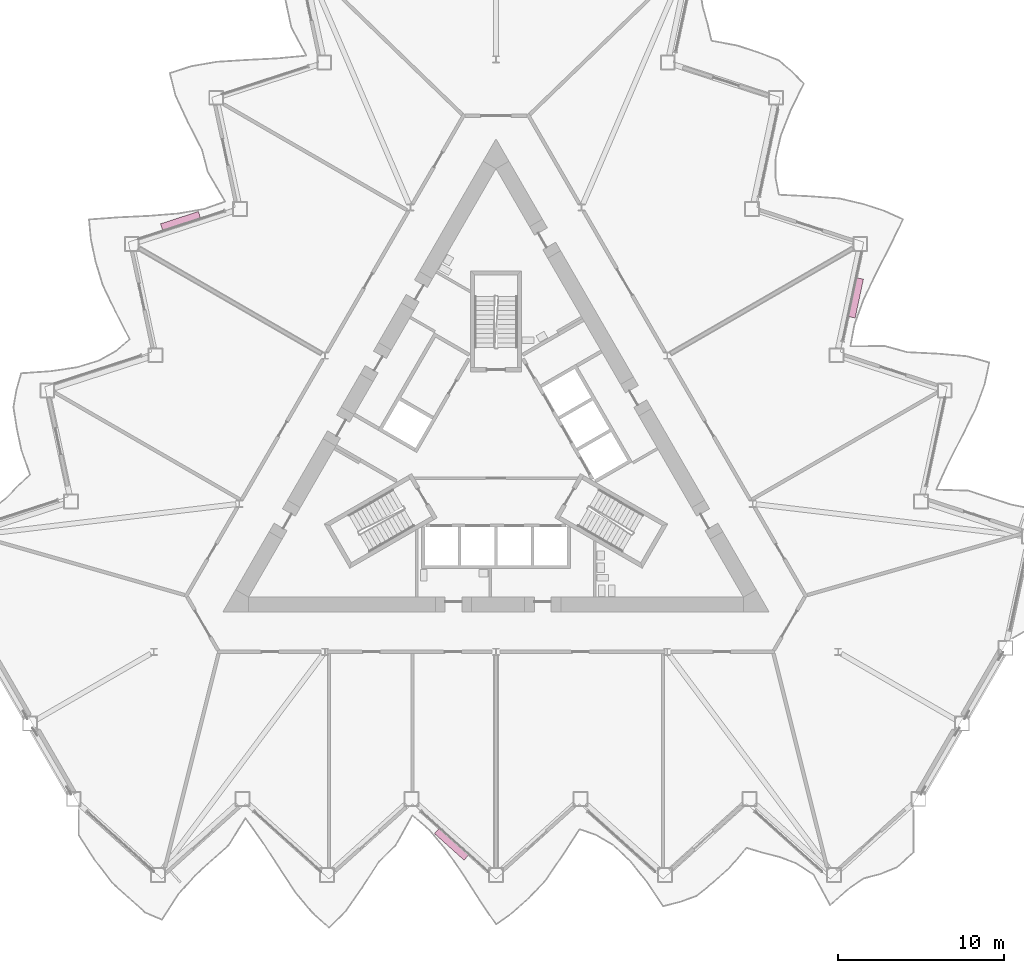
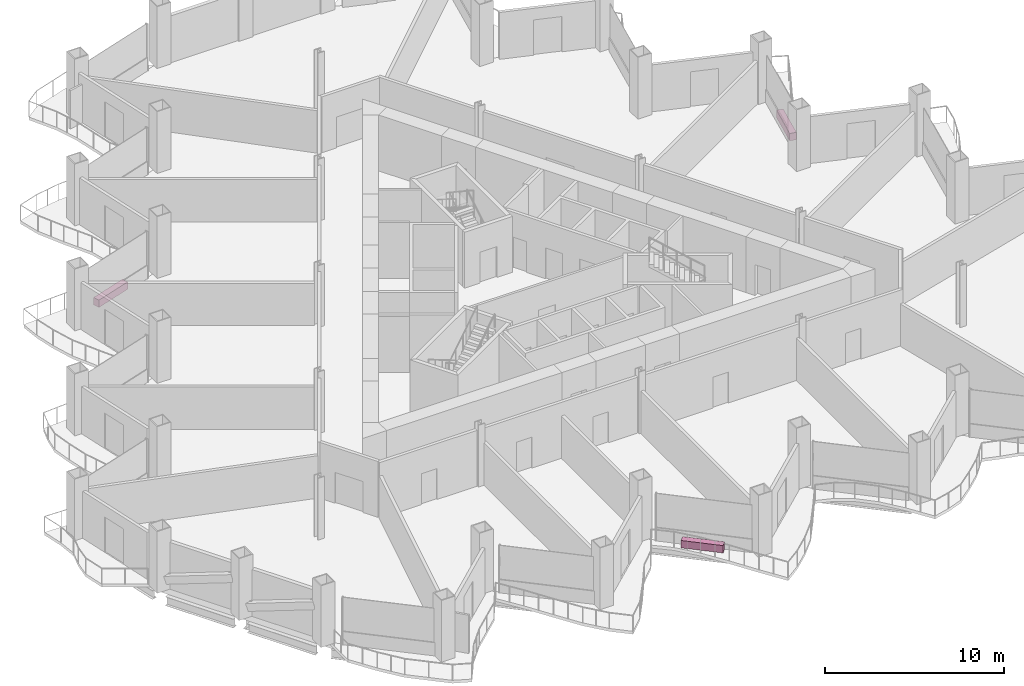
# One storey, part 21 of 21: 3 furniture elements.
"""IFC4 building model written with IfcOpenShell, lengths in metres."""

from ifc_helpers import new_model, si_unit, direction, frame, origin, origin_2d, place, context, subcontext, project, spatial, rectangle, extrude, material, type_object, element, save


model = new_model("IFC4")

# Units and contexts
model_context = context("Model", 3, precision=1e-05, world=origin(), true_north=direction((0.0, 1.0)))
body_context = subcontext(model_context, "Body", "Model", "MODEL_VIEW")
ifc_project = project(units=[si_unit("LENGTHUNIT", "METRE"), si_unit("AREAUNIT", "SQUARE_METRE"), si_unit("VOLUMEUNIT", "CUBIC_METRE"), si_unit("PLANEANGLEUNIT", "RADIAN"), si_unit("MASSUNIT", "GRAM", prefix="KILO")], contexts=[model_context])

# Site, building, storey
site_placement = place(None, origin())
site = spatial("IfcSite", under=ifc_project, at=site_placement, CompositionType="ELEMENT")
building_placement = place(site_placement, origin())
building = spatial("IfcBuilding", under=site, at=building_placement, Name="Cormorant Prow Tower", CompositionType="ELEMENT")
storey_placement = place(building_placement, frame((0.0, 0.0, 124.800048828125)))
storey = spatial("IfcBuildingStorey", under=building, at=storey_placement, Name="L26", CompositionType="ELEMENT", Elevation=124.800048828125)

# Furniture
ifc_material = material(Name="Terracotta", Category="masonry")
furniture_type = type_object("IfcFurnitureType", Name="Balcony planter 2400x400x500", AssemblyPlace="NOTDEFINED", PredefinedType="USERDEFINED", material=ifc_material)
for number, where, z_axis, x_axis, name in (
    (1, (-2.68896484375, -23.55224609375, 0.0), (0.0, 0.0, 1.0), (0.743144807376, -0.669130626463, 0.0), "Balcony planter S04"),
    (2, (21.741455078125, 9.447509765625, 0.0), (0.0, 0.0, 1.0), (0.207911666798, 0.978147605839, 0.0), "Balcony planter ENE04"),
    (3, (-19.052490234375, 14.10498046875, 0.0), (0.0, 0.0, 1.0), (-0.95105653418, -0.309016939332, 0.0), "Balcony planter WNW04"),
):
    element("IfcFurniture", number, at=place(storey_placement, frame(where, z_axis=z_axis, x_axis=x_axis)), inside=storey, type_object=furniture_type, Name=name, ObjectType="PLANTER", PredefinedType="USERDEFINED", context=body_context, shape_type="SweptSolid", body=[
        extrude(rectangle(XDim=2.39990234375, YDim=0.39990234375, at=origin_2d()), origin(), (0.0, 0.0, 1.0), 0.5),
    ])

save(model, "model.ifc")
